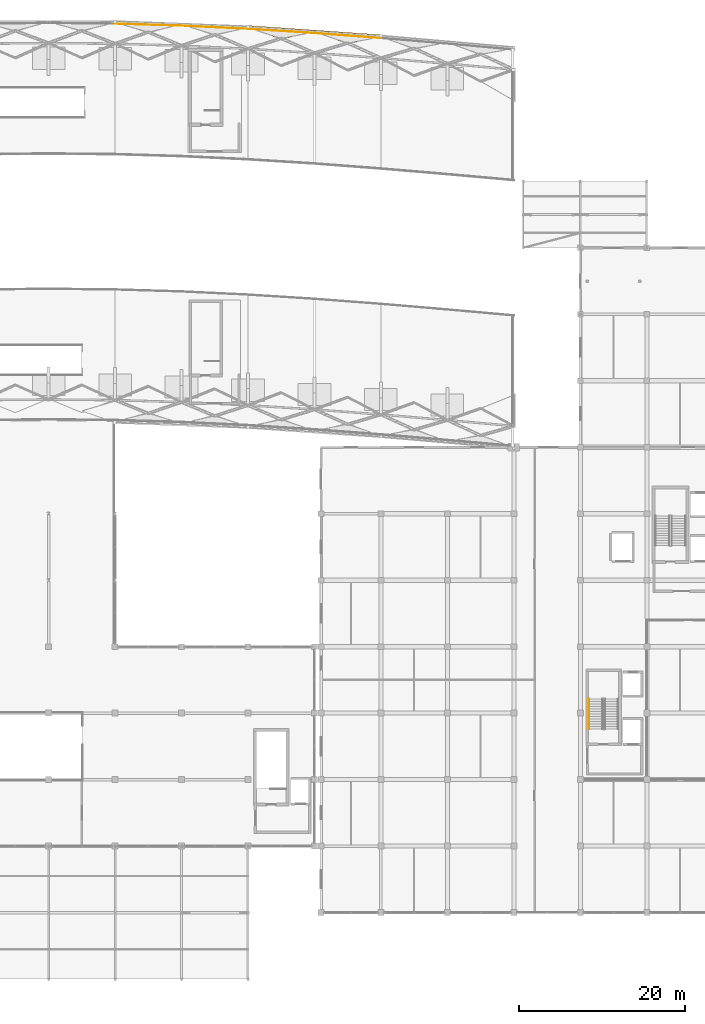
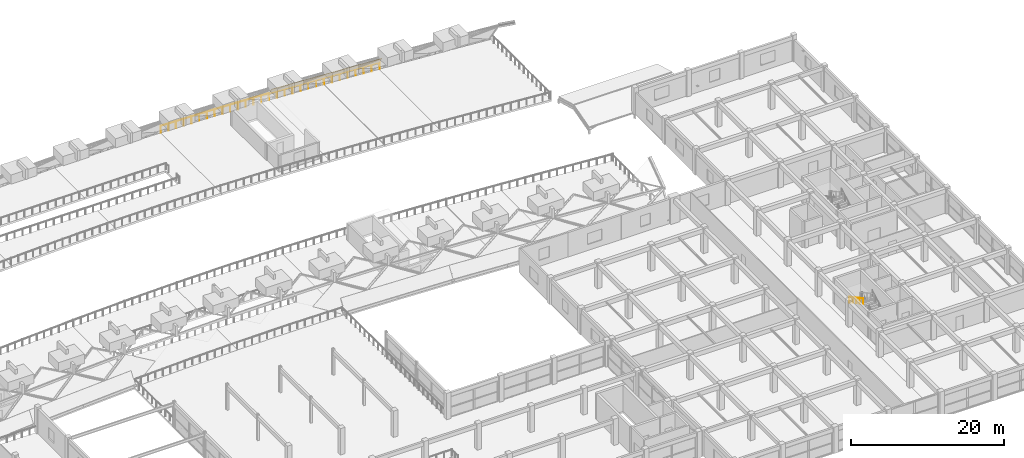
# One storey, part 64 of 67: 3 railings, 1 covering.
"""IFC4 building model written with IfcOpenShell, lengths in metres."""

from ifc_helpers import new_model, si_unit, direction, frame, origin, origin_2d, place, context, subcontext, project, spatial, polyline, circle, outline, extrude, material, layer, layer_set, type_object, element, save


model = new_model("IFC4")

# Units and contexts
model_context = context("Model", 3, precision=1e-05, world=origin(), true_north=direction((0.0, 1.0)))
body_context = subcontext(model_context, "Body", "Model", "MODEL_VIEW")
ifc_project = project(units=[si_unit("LENGTHUNIT", "METRE"), si_unit("AREAUNIT", "SQUARE_METRE"), si_unit("VOLUMEUNIT", "CUBIC_METRE"), si_unit("PLANEANGLEUNIT", "RADIAN"), si_unit("MASSUNIT", "GRAM", prefix="KILO")], contexts=[model_context])

# Site, building, storey
site_placement = place(None, origin())
site = spatial("IfcSite", under=ifc_project, at=site_placement, CompositionType="ELEMENT")
building_placement = place(site_placement, origin())
building = spatial("IfcBuilding", under=site, at=building_placement, Name="Kenh Van Central Station", CompositionType="ELEMENT")
storey_placement = place(building_placement, frame((0.0, 0.0, 10.800048828125)))
storey = spatial("IfcBuildingStorey", under=building, at=storey_placement, Name="L02", CompositionType="ELEMENT", Elevation=10.800048828125)

# Covering
ifc_material_1 = material(Name="Standing-seam zinc-aluminium roofing", Category="aluminium")
ifc_layer = layer(ifc_material_1, 0.044921875, Name="Standing-seam zinc-aluminium roofing")
ifc_layer_set = layer_set([ifc_layer], Name="Standing-seam zinc-aluminium roofing")
covering_type = type_object("IfcCoveringType", Name="COV-ROOF-SEAM", PredefinedType="ROOFING", material=ifc_layer_set)
covering_placement = place(storey_placement, frame((112.0, 113.706298828125, 2.193603515625), z_axis=(0.057755135549, 0.82987076592, 0.554958427442), x_axis=(0.997587006531, -0.069427403821, 0.0)))
element("IfcCovering", 1, at=covering_placement, inside=storey, type_object=covering_type, Name="Train shed springing curb roofing N6", PredefinedType="ROOFING", context=body_context, shape_type="SweptSolid", body=[
    extrude(outline(polyline([(0.0, 0.0), (16.0387012814494, 1.1102230246251565e-16), (15.965409266283325, 1.8976498057085749), (-0.07329201516607195, 1.8976498057085749), (0.0, 0.0)])), origin(), (0.0, 0.0, -1.0), 0.044921875),
])

# Railings
ifc_material_2 = material(Name="Champagne anodised aluminium", Category="aluminium")
railing_type_1 = type_object("IfcRailingType", Name="RAIL-CORE-HND90", PredefinedType="HANDRAIL", material=ifc_material_2)
railing_1_placement = place(storey_placement, frame((153.050048828125, 33.699951171875, 2.261474609375)))
element("IfcRailing", 2, at=railing_1_placement, inside=storey, type_object=railing_type_1, Name="L02 ST-09 stair handrail 2", PredefinedType="HANDRAIL", context=body_context, shape_type="SweptSolid", body=[
    extrude(circle(Radius=0.02392578125, at=origin_2d()), frame((0.0, 0.0, 0.8759765625), z_axis=(0.0, -0.880461512865, 0.474117627138), x_axis=(1.0, 0.0, 0.0)), (0.0, 0.0, 1.0), 4.088623046875),
    extrude(circle(Radius=0.02099609375, at=origin_2d()), origin(), (0.0, 0.0, 1.0), 0.851806640625),
    extrude(circle(Radius=0.02099609375, at=origin_2d()), frame((0.0, -0.89990234375, 0.484619140625)), (0.0, 0.0, 1.0), 0.851806640625),
    extrude(circle(Radius=0.02099609375, at=origin_2d()), frame((0.0, -1.7998046875, 0.96923828125)), (0.0, 0.0, 1.0), 0.851806640625),
    extrude(circle(Radius=0.02099609375, at=origin_2d()), frame((0.0, -2.699951171875, 1.453857421875)), (0.0, 0.0, 1.0), 0.851806640625),
    extrude(circle(Radius=0.02099609375, at=origin_2d()), frame((0.0, -3.599853515625, 1.9384765625)), (0.0, 0.0, 1.0), 0.851806640625),
])
railing_type_2 = type_object("IfcRailingType", Name="RAIL-TERR-GRD115", PredefinedType="GUARDRAIL", material=ifc_material_2)
railing_2_placement = place(storey_placement, frame((96.0, 114.9697265625, 0.0)))
element("IfcRailing", 3, at=railing_2_placement, inside=storey, type_object=railing_type_2, Name="L02 platform perimeter guardrail 26", PredefinedType="GUARDRAIL", context=body_context, shape_type="SweptSolid", body=[
    extrude(circle(Radius=0.02392578125, at=origin_2d()), frame((0.0, 0.0, 1.1259765625), z_axis=(0.999563048769, -0.029558611885, 0.0), x_axis=(0.029558611885, 0.999563048769, 0.0)), (0.0, 0.0, 1.0), 8.00341796875),
    extrude(circle(Radius=0.02392578125, at=origin_2d()), frame((8.0, -0.236572265625, 1.1259765625), z_axis=(0.998865791667, -0.04761439107, 0.0), x_axis=(0.04761439107, 0.998865791667, 0.0)), (0.0, 0.0, 1.0), 8.009033203125),
    extrude(circle(Radius=0.02099609375, at=origin_2d()), origin(), (0.0, 0.0, 1.0), 1.101806640625),
    extrude(circle(Radius=0.02099609375, at=origin_2d()), frame((1.142822265625, -0.03369140625, 0.0)), (0.0, 0.0, 1.0), 1.101806640625),
    extrude(circle(Radius=0.02099609375, at=origin_2d()), frame((2.28564453125, -0.067626953125, 0.0)), (0.0, 0.0, 1.0), 1.101806640625),
    extrude(circle(Radius=0.02099609375, at=origin_2d()), frame((3.428466796875, -0.101318359375, 0.0)), (0.0, 0.0, 1.0), 1.101806640625),
    extrude(circle(Radius=0.02099609375, at=origin_2d()), frame((4.571533203125, -0.13525390625, 0.0)), (0.0, 0.0, 1.0), 1.101806640625),
    extrude(circle(Radius=0.02099609375, at=origin_2d()), frame((5.71435546875, -0.1689453125, 0.0)), (0.0, 0.0, 1.0), 1.101806640625),
    extrude(circle(Radius=0.02099609375, at=origin_2d()), frame((6.857177734375, -0.202880859375, 0.0)), (0.0, 0.0, 1.0), 1.101806640625),
    extrude(circle(Radius=0.02099609375, at=origin_2d()), frame((8.0, -0.236572265625, 0.0)), (0.0, 0.0, 1.0), 1.101806640625),
    extrude(circle(Radius=0.02099609375, at=origin_2d()), frame((9.142822265625, -0.291015625, 0.0)), (0.0, 0.0, 1.0), 1.101806640625),
    extrude(circle(Radius=0.02099609375, at=origin_2d()), frame((10.28564453125, -0.345458984375, 0.0)), (0.0, 0.0, 1.0), 1.101806640625),
    extrude(circle(Radius=0.02099609375, at=origin_2d()), frame((11.428466796875, -0.39990234375, 0.0)), (0.0, 0.0, 1.0), 1.101806640625),
    extrude(circle(Radius=0.02099609375, at=origin_2d()), frame((12.571533203125, -0.45458984375, 0.0)), (0.0, 0.0, 1.0), 1.101806640625),
    extrude(circle(Radius=0.02099609375, at=origin_2d()), frame((13.71435546875, -0.509033203125, 0.0)), (0.0, 0.0, 1.0), 1.101806640625),
    extrude(circle(Radius=0.02099609375, at=origin_2d()), frame((14.857177734375, -0.5634765625, 0.0)), (0.0, 0.0, 1.0), 1.101806640625),
    extrude(circle(Radius=0.02099609375, at=origin_2d()), frame((16.0, -0.617919921875, 0.0)), (0.0, 0.0, 1.0), 1.101806640625),
])
railing_3_placement = place(storey_placement, frame((112.0, 114.351806640625, 0.0)))
element("IfcRailing", 4, at=railing_3_placement, inside=storey, type_object=railing_type_2, Name="L02 platform perimeter guardrail 27", PredefinedType="GUARDRAIL", context=body_context, shape_type="SweptSolid", body=[
    extrude(circle(Radius=0.02392578125, at=origin_2d()), frame((0.0, 0.0, 1.1259765625), z_axis=(0.998001046855, -0.063197392951, 0.0), x_axis=(0.063197392951, 0.998001046855, 0.0)), (0.0, 0.0, 1.0), 8.01611328125),
    extrude(circle(Radius=0.02392578125, at=origin_2d()), frame((8.0, -0.506591796875, 1.1259765625), z_axis=(0.997134485958, -0.075649302127, 0.0), x_axis=(0.075649302127, 0.997134485958, 0.0)), (0.0, 0.0, 1.0), 8.02294921875),
    extrude(circle(Radius=0.02099609375, at=origin_2d()), origin(), (0.0, 0.0, 1.0), 1.101806640625),
    extrude(circle(Radius=0.02099609375, at=origin_2d()), frame((1.142822265625, -0.072265625, 0.0)), (0.0, 0.0, 1.0), 1.101806640625),
    extrude(circle(Radius=0.02099609375, at=origin_2d()), frame((2.28564453125, -0.144775390625, 0.0)), (0.0, 0.0, 1.0), 1.101806640625),
    extrude(circle(Radius=0.02099609375, at=origin_2d()), frame((3.428466796875, -0.217041015625, 0.0)), (0.0, 0.0, 1.0), 1.101806640625),
    extrude(circle(Radius=0.02099609375, at=origin_2d()), frame((4.571533203125, -0.28955078125, 0.0)), (0.0, 0.0, 1.0), 1.101806640625),
    extrude(circle(Radius=0.02099609375, at=origin_2d()), frame((5.71435546875, -0.36181640625, 0.0)), (0.0, 0.0, 1.0), 1.101806640625),
    extrude(circle(Radius=0.02099609375, at=origin_2d()), frame((6.857177734375, -0.434326171875, 0.0)), (0.0, 0.0, 1.0), 1.101806640625),
    extrude(circle(Radius=0.02099609375, at=origin_2d()), frame((8.0, -0.506591796875, 0.0)), (0.0, 0.0, 1.0), 1.101806640625),
    extrude(circle(Radius=0.02099609375, at=origin_2d()), frame((9.142822265625, -0.59326171875, 0.0)), (0.0, 0.0, 1.0), 1.101806640625),
    extrude(circle(Radius=0.02099609375, at=origin_2d()), frame((10.28564453125, -0.679931640625, 0.0)), (0.0, 0.0, 1.0), 1.101806640625),
    extrude(circle(Radius=0.02099609375, at=origin_2d()), frame((11.428466796875, -0.7666015625, 0.0)), (0.0, 0.0, 1.0), 1.101806640625),
    extrude(circle(Radius=0.02099609375, at=origin_2d()), frame((12.571533203125, -0.853515625, 0.0)), (0.0, 0.0, 1.0), 1.101806640625),
    extrude(circle(Radius=0.02099609375, at=origin_2d()), frame((13.71435546875, -0.940185546875, 0.0)), (0.0, 0.0, 1.0), 1.101806640625),
    extrude(circle(Radius=0.02099609375, at=origin_2d()), frame((14.857177734375, -1.02685546875, 0.0)), (0.0, 0.0, 1.0), 1.101806640625),
    extrude(circle(Radius=0.02099609375, at=origin_2d()), frame((16.0, -1.113525390625, 0.0)), (0.0, 0.0, 1.0), 1.101806640625),
])

save(model, "model.ifc")
